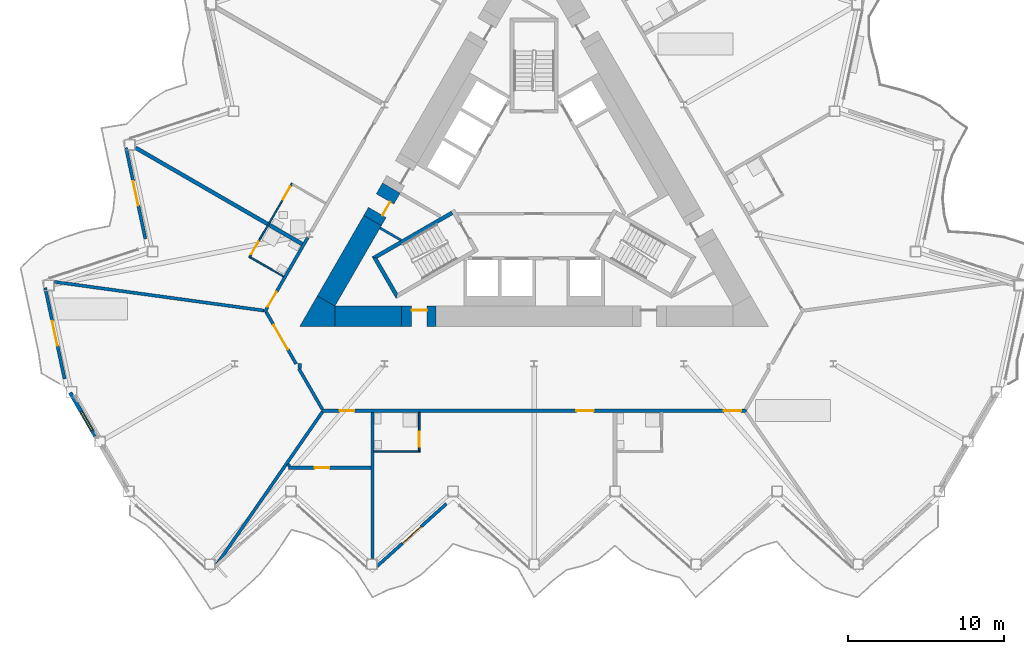
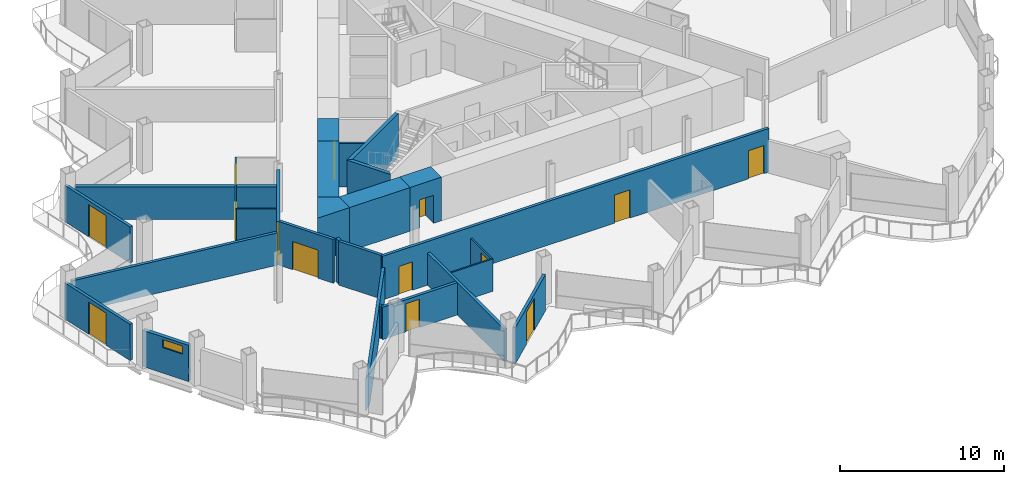
# One storey, part 11 of 23: 27 walls, 14 doors, 1 window, 15 openings.
"""IFC4 building model written with IfcOpenShell, lengths in metres."""

import ifcopenshell
import ifcopenshell.guid

model = None  # the IFC model being written
_history = None  # IfcOwnerHistory: only IFC2X3 demands one
_inside = {}  # id of a spatial element -> (the spatial element, [elements in it])
_under = {}  # id of a project, library or spatial element -> (it, [spatial elements below it])
_declared = {}  # id of a project -> (the project, [libraries it declares])
_typed = {}  # id of a type object -> (the type object, [elements of that type])
_made_of = {}  # id of a material, layer set ... -> (it, [elements and type objects made of it])


def new_model(schema):
    """Start an empty IFC model of exactly this schema.

    Asked for "IFC4X3", IfcOpenShell would pick the latest addendum, in which some entities
    have other attributes; the version numbers below select the first issue.
    IFC2X3 requires an IfcOwnerHistory on every rooted entity: one is made here for all.
    """
    global model, _history
    if schema == "IFC4X3":
        model = ifcopenshell.file(schema_version=(4, 3, 0, 0))
    else:
        model = ifcopenshell.file(schema=schema)
    _inside.clear()
    _under.clear()
    _declared.clear()
    _typed.clear()
    _made_of.clear()
    _history = None
    if model.schema == "IFC2X3":
        org = make("IfcOrganization", Name="unknown")
        user = make(
            "IfcPersonAndOrganization",
            ThePerson=make("IfcPerson", FamilyName="unknown"),
            TheOrganization=org,
        )
        app = make(
            "IfcApplication",
            ApplicationDeveloper=org,
            Version="unknown",
            ApplicationFullName="unknown",
            ApplicationIdentifier="unknown",
        )
        _history = make(
            "IfcOwnerHistory",
            OwningUser=user,
            OwningApplication=app,
            ChangeAction="ADDED",
            CreationDate=0,
        )
    return model


def make(cls, **values):
    """One entity of the class cls with the attributes given. An attribute that is None is left unset."""
    return model.create_entity(
        cls, **{name: value for name, value in values.items() if value is not None}
    )


def rooted(cls, **values):
    """An entity with a GlobalId (a new one), such as an element, a storey or a relation."""
    return make(cls, GlobalId=ifcopenshell.guid.new(), OwnerHistory=_history, **values)


def si_unit(unit_type, name, prefix=None):
    """IfcSIUnit, for example si_unit("LENGTHUNIT", "METRE", prefix="MILLI")."""
    return make("IfcSIUnit", UnitType=unit_type, Prefix=prefix, Name=name)


def assignment(units):
    """IfcUnitAssignment: the units of a project."""
    return None if units is None else make("IfcUnitAssignment", Units=units)


def point(xyz):
    """IfcCartesianPoint."""
    return None if xyz is None else make("IfcCartesianPoint", Coordinates=xyz)


def direction(xyz):
    """IfcDirection."""
    return None if xyz is None else make("IfcDirection", DirectionRatios=xyz)


def frame(location, z_axis=None, x_axis=None):
    """IfcAxis2Placement3D, a coordinate frame: its origin and axes. An axis left out is left unset."""
    return make(
        "IfcAxis2Placement3D",
        Location=point(location),
        Axis=direction(z_axis),
        RefDirection=direction(x_axis),
    )


def frame_2d(location, x_axis=None):
    """IfcAxis2Placement2D, a coordinate frame in the plane: its origin and x axis."""
    return make(
        "IfcAxis2Placement2D", Location=point(location), RefDirection=direction(x_axis)
    )


def origin():
    """The frame at (0, 0, 0) with its axes left unset."""
    return frame((0.0, 0.0, 0.0))


def place(relative_to, where):
    """IfcLocalPlacement: puts the frame where relative to a parent placement (None: the world)."""
    return make(
        "IfcLocalPlacement", PlacementRelTo=relative_to, RelativePlacement=where
    )


def context(
    kind, dimensions, precision=None, world=None, true_north=None, identifier=None
):
    """IfcGeometricRepresentationContext, for example the 3D "Model" context."""
    return make(
        "IfcGeometricRepresentationContext",
        ContextIdentifier=identifier,
        ContextType=kind,
        CoordinateSpaceDimension=dimensions,
        Precision=precision,
        WorldCoordinateSystem=world,
        TrueNorth=true_north,
    )


def subcontext(parent, identifier, kind, view, scale=None):
    """IfcGeometricRepresentationSubContext, for example "Body" below "Model"."""
    return make(
        "IfcGeometricRepresentationSubContext",
        ContextIdentifier=identifier,
        ContextType=kind,
        ParentContext=parent,
        TargetScale=scale,
        TargetView=view,
    )


def project(units=None, contexts=None):
    """IfcProject with its units and contexts."""
    return rooted(
        "IfcProject",
        Name="project",
        RepresentationContexts=contexts,
        UnitsInContext=assignment(units),
    )


def spatial(cls, under=None, at=None, **own):
    """A site, building, storey or space (cls), placed at a placement, below another one or the project."""
    s = rooted(cls, ObjectPlacement=at, **own)
    if under is not None:
        _under.setdefault(under.id(), (under, []))[1].append(s)
    return s


def polyline(points):
    """IfcPolyline through the points."""
    return make("IfcPolyline", Points=[point(p) for p in points])


def profile(cls, at=None, kind="AREA", **sizes):
    """A parametric profile (cls). Its sizes go by their IFC names, for example OverallWidth=200.0."""
    return make(cls, ProfileType=kind, Position=at, **sizes)


def rectangle(**sizes):
    """IfcRectangleProfileDef."""
    return profile("IfcRectangleProfileDef", **sizes)


def outline(outer, holes=None, kind="AREA"):
    """IfcArbitraryClosedProfileDef: a profile drawn as a closed curve; with holes, ...WithVoids."""
    if holes is None:
        return make("IfcArbitraryClosedProfileDef", ProfileType=kind, OuterCurve=outer)
    return make(
        "IfcArbitraryProfileDefWithVoids",
        ProfileType=kind,
        OuterCurve=outer,
        InnerCurves=holes,
    )


def extrude(swept, where, along, depth):
    """IfcExtrudedAreaSolid: the profile swept, set in the frame where, extruded along a direction by depth."""
    return make(
        "IfcExtrudedAreaSolid",
        SweptArea=swept,
        Position=where,
        ExtrudedDirection=direction(along),
        Depth=depth,
    )


def shape(context_of_items, identifier, shape_type, items):
    """IfcShapeRepresentation: the items that make up one representation, for example the "Body"."""
    return make(
        "IfcShapeRepresentation",
        ContextOfItems=context_of_items,
        RepresentationIdentifier=identifier,
        RepresentationType=shape_type,
        Items=items,
    )


def material(Name=None, Category=None):
    """IfcMaterial."""
    return make("IfcMaterial", Name=Name, Category=Category)


def layer(
    of_material, thickness, ventilated=None, Name=None, Category=None, Priority=None
):
    """IfcMaterialLayer: one layer of a wall or slab, of a material (None: an air gap)."""
    return make(
        "IfcMaterialLayer",
        Material=of_material,
        LayerThickness=thickness,
        IsVentilated=ventilated,
        Name=Name,
        Category=Category,
        Priority=Priority,
    )


def layer_set(layers, Name=None):
    """IfcMaterialLayerSet."""
    return make("IfcMaterialLayerSet", MaterialLayers=layers, LayerSetName=Name)


def made_of(thing, what):
    """Note that an element or type object is made of a material, layer set ...; save() writes the relation."""
    if what is not None:
        _made_of.setdefault(what.id(), (what, []))[1].append(thing)
    return thing


def type_object(cls, material=None, **own):
    """A type object (cls), such as IfcWallType, which elements share."""
    return made_of(rooted(cls, **own), material)


def element(
    cls,
    number,
    at=None,
    inside=None,
    cuts=None,
    type_object=None,
    material=None,
    context=None,
    identifier="Body",
    shape_type=None,
    held_by="IfcProductDefinitionShape",
    body=None,
    shapes=None,
    **own,
):
    """One element of the class cls, such as IfcWall. Its Tag is "e" and its number.

    at: its placement. inside: the storey or other place that contains it. cuts: it is an
    opening in that element (IfcRelVoidsElement). A single representation is given by context,
    identifier, shape_type and body (its items); several are given by shapes. held_by: the class
    of the entity that holds the representations. save() writes the other relations.
    """
    e = rooted(cls, Tag="e%d" % number, ObjectPlacement=at, **own)
    if body is not None:
        shapes = [shape(context, identifier, shape_type, body)]
    if shapes is not None:
        e.Representation = make(held_by, Representations=shapes)
    if inside is not None:
        _inside.setdefault(inside.id(), (inside, []))[1].append(e)
    if cuts is not None:
        rooted(
            "IfcRelVoidsElement", RelatingBuildingElement=cuts, RelatedOpeningElement=e
        )
    if type_object is not None:
        _typed.setdefault(type_object.id(), (type_object, []))[1].append(e)
    return made_of(e, material)


def fill(opening, filler):
    """IfcRelFillsElement: the door or window that sits in an opening."""
    return rooted(
        "IfcRelFillsElement",
        RelatingOpeningElement=opening,
        RelatedBuildingElement=filler,
    )


def aggregate(whole, parts):
    """IfcRelAggregates: a whole, such as a stair, and the parts it consists of."""
    return rooted("IfcRelAggregates", RelatingObject=whole, RelatedObjects=parts)


def save(model, path):
    """Write the relations noted so far, then the file.

    IfcRelAggregates (storeys below a building ...), IfcRelContainedInSpatialStructure (elements
    in a storey), IfcRelDefinesByType, IfcRelAssociatesMaterial and IfcRelDeclares: one each for
    every whole, place, type object, material and project.
    """
    for whole, parts in _under.values():
        aggregate(whole, parts)
    for where, things in _inside.values():
        rooted(
            "IfcRelContainedInSpatialStructure",
            RelatedElements=things,
            RelatingStructure=where,
        )
    for kind, things in _typed.values():
        rooted("IfcRelDefinesByType", RelatedObjects=things, RelatingType=kind)
    for what, things in _made_of.values():
        rooted("IfcRelAssociatesMaterial", RelatedObjects=things, RelatingMaterial=what)
    for by, libraries in _declared.values():
        rooted("IfcRelDeclares", RelatingContext=by, RelatedDefinitions=libraries)
    model.write(path)


model = new_model("IFC4")

# Units and contexts
model_context = context("Model", 3, precision=1e-05, world=origin(), true_north=direction((0.0, 1.0)))
body_context = subcontext(model_context, "Body", "Model", "MODEL_VIEW")
ifc_project = project(units=[si_unit("LENGTHUNIT", "METRE"), si_unit("AREAUNIT", "SQUARE_METRE"), si_unit("VOLUMEUNIT", "CUBIC_METRE"), si_unit("PLANEANGLEUNIT", "RADIAN"), si_unit("MASSUNIT", "GRAM", prefix="KILO")], contexts=[model_context])

# Site, building, storey
site_placement = place(None, origin())
site = spatial("IfcSite", under=ifc_project, at=site_placement, CompositionType="ELEMENT")
building_placement = place(site_placement, origin())
building = spatial("IfcBuilding", under=site, at=building_placement, Name="Cormorant Prow Tower", CompositionType="ELEMENT")
storey_placement = place(building_placement, frame((0.0, 0.0, 249.0)))
storey = spatial("IfcBuildingStorey", under=building, at=storey_placement, Name="L55", CompositionType="ELEMENT", Elevation=249.0)

# Walls
ifc_material_1 = material(Name="Gypsum board partition")
ifc_layer_1 = layer(ifc_material_1, 0.14990234375)
ifc_layer_set_1 = layer_set([ifc_layer_1], Name="Gypsum board partition")
wall_type_1 = type_object("IfcWallType", Name="Core partition 150", PredefinedType="PARTITIONING", material=ifc_layer_set_1)
wall_1_placement = place(storey_placement, frame((-9.862060546875, -2.361083984375, 0.0), z_axis=(0.0, 0.0, 1.0), x_axis=(0.865990094875, -0.500061151839, 0.0)))
element("IfcWall", 1, at=wall_1_placement, inside=storey, type_object=wall_type_1, Name="Service room partition", PredefinedType="PARTITIONING", context=body_context, shape_type="SweptSolid", body=[
    extrude(rectangle(XDim=1.559814453125, YDim=0.14990234375, at=frame_2d((0.77978515625, 0.0))), origin(), (0.0, 0.0, 1.0), 3.25),
])
ifc_material_2 = material(Name="Concrete 8000 psi", Category="concrete")
ifc_layer_2 = layer(ifc_material_2, 1.300048828125)
ifc_layer_set_2 = layer_set([ifc_layer_2], Name="Concrete 8000 psi")
wall_type_2 = type_object("IfcWallType", Name="Core shear wall 1300", PredefinedType="SHEAR", material=ifc_layer_set_2)
wall_2_placement = place(storey_placement, frame((-12.748291015625, -8.01025390625, 0.0), z_axis=(0.0, 0.0, 1.0), x_axis=(1.0, 0.0, 0.0)))
element("IfcWall", 2, at=wall_2_placement, inside=storey, type_object=wall_type_2, Name="Core wall", PredefinedType="SHEAR", context=body_context, shape_type="SweptSolid", body=[
    extrude(rectangle(XDim=4.260009765625, YDim=1.300048828125, at=frame_2d((2.1298828125, 0.0))), origin(), (0.0, 0.0, 1.0), 3.25),
])
wall_3_placement = place(storey_placement, frame((-10.337890625, -1.885009765625, 0.0), z_axis=(0.0, 0.0, 1.0), x_axis=(-0.499975944838, -0.866039291593, 0.0)))
element("IfcWall", 3, at=wall_3_placement, inside=storey, type_object=wall_type_2, Name="Core wall", PredefinedType="SHEAR", context=body_context, shape_type="SweptSolid", body=[
    extrude(rectangle(XDim=5.947021484375, YDim=1.300048828125, at=frame_2d((2.9736328125, 0.0))), origin(), (0.0, 0.0, 1.0), 3.25),
])
wall_4_placement = place(storey_placement, origin())
element("IfcWall", 4, at=wall_4_placement, inside=storey, type_object=wall_type_2, Name="Core wall corner", PredefinedType="SHEAR", context=body_context, shape_type="SweptSolid", body=[
    extrude(outline(polyline([(-13.874267578125, -6.710205078125), (-12.748291015625, -7.3603515625), (-12.748291015625, -8.660400390625), (-15.0, -8.660400390625), (-13.874267578125, -6.710205078125)])), origin(), (0.0, 0.0, 1.0), 3.25),
])

# Wall, opening, door
wall_5_placement = place(storey_placement, frame((-8.48828125, -8.01025390625, 0.0), z_axis=(0.0, 0.0, 1.0), x_axis=(1.0, 0.0, 0.0)))
wall_5 = element("IfcWall", 5, at=wall_5_placement, inside=storey, type_object=wall_type_2, Name="Core wall door panel", PredefinedType="SHEAR", context=body_context, shape_type="SweptSolid", body=[
    extrude(rectangle(XDim=2.2001953125, YDim=1.300048828125, at=frame_2d((1.10009765625, 0.0))), origin(), (0.0, 0.0, 1.0), 3.25),
])
opening_1_placement = place(wall_5_placement, frame((0.64990234375, 0.0, 0.0)))
opening_1 = element("IfcOpeningElement", 6, at=opening_1_placement, cuts=wall_5, Name="Opening L55-C14", PredefinedType="OPENING", context=body_context, shape_type="SweptSolid", body=[
    extrude(rectangle(XDim=1.0, YDim=2.10009765625, at=frame_2d((0.5, 1.050048828125))), frame((0.0, 0.659912109375, 0.0), z_axis=(0.0, -1.0, 0.0), x_axis=(1.0, 0.0, 0.0)), (0.0, 0.0, 1.0), 1.320068359375),
])
ifc_material_3 = material(Name="Painted steel", Category="steel")
door_type_1 = type_object("IfcDoorType", Name="Service door 1000x2100", OperationType="NOTDEFINED", PredefinedType="DOOR", material=ifc_material_3)
door_1_placement = place(opening_1_placement, origin())
door_1 = element("IfcDoor", 7, at=door_1_placement, inside=storey, type_object=door_type_1, Name="Core door, Pantry store", OperationType="SINGLE_SWING_LEFT", OverallHeight=2.10009765625, OverallWidth=1.0, PredefinedType="DOOR", context=body_context, shape_type="SweptSolid", body=[
    extrude(rectangle(XDim=1.0, YDim=2.10009765625, at=frame_2d((0.5, 1.050048828125))), frame((0.0, 0.40478515625, 0.0), z_axis=(0.0, -1.0, 0.0), x_axis=(1.0, 0.0, 0.0)), (0.0, 0.0, 1.0), 0.050048828125),
])
fill(opening_1, door_1)

wall_6_placement = place(storey_placement, frame((-9.13720703125, 0.194580078125, 0.0), z_axis=(0.0, 0.0, 1.0), x_axis=(-0.500009943768, -0.866019662671, 0.0)))
wall_6 = element("IfcWall", 8, at=wall_6_placement, inside=storey, type_object=wall_type_2, Name="Core wall door panel", PredefinedType="SHEAR", context=body_context, shape_type="SweptSolid", body=[
    extrude(rectangle(XDim=2.4013671875, YDim=1.300048828125, at=frame_2d((1.20068359375, 0.0))), origin(), (0.0, 0.0, 1.0), 3.25),
])
opening_2_placement = place(wall_6_placement, frame((0.800048828125, 0.0, 0.0)))
opening_2 = element("IfcOpeningElement", 9, at=opening_2_placement, cuts=wall_6, Name="Opening L55-C16", PredefinedType="OPENING", context=body_context, shape_type="SweptSolid", body=[
    extrude(rectangle(XDim=1.0, YDim=2.10009765625, at=frame_2d((0.5, 1.050048828125))), frame((0.0, 0.659912109375, 0.0), z_axis=(0.0, -1.0, 0.0), x_axis=(1.0, 0.0, 0.0)), (0.0, 0.0, 1.0), 1.320068359375),
])
door_2_placement = place(opening_2_placement, origin())
door_2 = element("IfcDoor", 10, at=door_2_placement, inside=storey, type_object=door_type_1, Name="Core door, Mechanical riser room", OperationType="SINGLE_SWING_RIGHT", OverallHeight=2.10009765625, OverallWidth=1.0, PredefinedType="DOOR", context=body_context, shape_type="SweptSolid", body=[
    extrude(rectangle(XDim=1.0, YDim=2.10009765625, at=frame_2d((0.5, 1.050048828125))), frame((0.0, 0.40478515625, 0.0), z_axis=(0.0, -1.0, 0.0), x_axis=(1.0, 0.0, 0.0)), (0.0, 0.0, 1.0), 0.050048828125),
])
fill(opening_2, door_2)

# Wall, openings, doors
ifc_material_4 = material(Name="Gypsum board corridor wall")
ifc_layer_3 = layer(ifc_material_4, 0.199951171875)
ifc_layer_set_3 = layer_set([ifc_layer_3], Name="Gypsum board corridor wall")
wall_type_3 = type_object("IfcWallType", Name="Corridor wall 200", PredefinedType="PARTITIONING", material=ifc_layer_set_3)
wall_7_placement = place(storey_placement, frame((-13.598876953125, -14.060302734375, 0.0), z_axis=(0.0, 0.0, 1.0), x_axis=(1.0, 0.0, 0.0)))
wall_7 = element("IfcWall", 11, at=wall_7_placement, inside=storey, type_object=wall_type_3, Name="Corridor wall", PredefinedType="PARTITIONING", context=body_context, shape_type="SweptSolid", body=[
    extrude(rectangle(XDim=27.19775390625, YDim=0.199951171875, at=frame_2d((13.598876953125, 0.0))), origin(), (0.0, 0.0, 1.0), 3.25),
])
opening_3_placement = place(wall_7_placement, frame((1.151611328125, 0.0, 0.0)))
opening_3 = element("IfcOpeningElement", 12, at=opening_3_placement, cuts=wall_7, Name="Opening L55-F01", PredefinedType="OPENING", context=body_context, shape_type="SweptSolid", body=[
    extrude(rectangle(XDim=0.949951171875, YDim=2.10009765625, at=frame_2d((0.47509765625, 1.050048828125))), frame((0.0, 0.10986328125, 0.0), z_axis=(0.0, -1.0, 0.0), x_axis=(1.0, 0.0, 0.0)), (0.0, 0.0, 1.0), 0.219970703125),
])
opening_4_placement = place(wall_7_placement, frame((16.311279296875, 0.0, 0.0)))
opening_4 = element("IfcOpeningElement", 13, at=opening_4_placement, cuts=wall_7, Name="Opening L55-F03", PredefinedType="OPENING", context=body_context, shape_type="SweptSolid", body=[
    extrude(rectangle(XDim=1.10009765625, YDim=2.10009765625, at=frame_2d((0.550048828125, 1.050048828125))), frame((0.0, 0.10986328125, 0.0), z_axis=(0.0, -1.0, 0.0), x_axis=(1.0, 0.0, 0.0)), (0.0, 0.0, 1.0), 0.219970703125),
])
opening_5_placement = place(wall_7_placement, frame((25.747314453125, 0.0, 0.0)))
opening_5 = element("IfcOpeningElement", 14, at=opening_5_placement, cuts=wall_7, Name="Opening L55-F05", PredefinedType="OPENING", context=body_context, shape_type="SweptSolid", body=[
    extrude(rectangle(XDim=1.10009765625, YDim=2.10009765625, at=frame_2d((0.550048828125, 1.050048828125))), frame((0.0, 0.10986328125, 0.0), z_axis=(0.0, -1.0, 0.0), x_axis=(1.0, 0.0, 0.0)), (0.0, 0.0, 1.0), 0.219970703125),
])
ifc_material_5 = material(Name="Timber door leaf", Category="wood")
door_type_2 = type_object("IfcDoorType", Name="Store door 950x2100", OperationType="NOTDEFINED", PredefinedType="DOOR", material=ifc_material_5)
door_3_placement = place(opening_3_placement, origin())
door_3 = element("IfcDoor", 15, at=door_3_placement, inside=storey, type_object=door_type_2, Name="Housekeeping room door", OperationType="SINGLE_SWING_LEFT", OverallHeight=2.10009765625, OverallWidth=0.949951171875, PredefinedType="DOOR", context=body_context, shape_type="SweptSolid", body=[
    extrude(rectangle(XDim=0.949951171875, YDim=2.10009765625, at=frame_2d((0.47509765625, 1.050048828125))), frame((0.0, 0.02490234375, 0.0), z_axis=(0.0, -1.0, 0.0), x_axis=(1.0, 0.0, 0.0)), (0.0, 0.0, 1.0), 0.050048828125),
])
fill(opening_3, door_3)
ifc_material_6 = material(Name="Timber door leaf", Category="wood")
door_type_3 = type_object("IfcDoorType", Name="Suite entrance door 1100x2100", OperationType="NOTDEFINED", PredefinedType="DOOR", material=ifc_material_6)
door_4_placement = place(opening_4_placement, origin())
door_4 = element("IfcDoor", 16, at=door_4_placement, inside=storey, type_object=door_type_3, Name="Executive suite bedroom door", OperationType="SINGLE_SWING_LEFT", OverallHeight=2.10009765625, OverallWidth=1.10009765625, PredefinedType="DOOR", context=body_context, shape_type="SweptSolid", body=[
    extrude(rectangle(XDim=1.10009765625, YDim=2.10009765625, at=frame_2d((0.550048828125, 1.050048828125))), frame((0.0, 0.02490234375, 0.0), z_axis=(0.0, -1.0, 0.0), x_axis=(1.0, 0.0, 0.0)), (0.0, 0.0, 1.0), 0.050048828125),
])
fill(opening_4, door_4)
door_5_placement = place(opening_5_placement, origin())
door_5 = element("IfcDoor", 17, at=door_5_placement, inside=storey, type_object=door_type_3, Name="Executive suite bedroom door", OperationType="SINGLE_SWING_RIGHT", OverallHeight=2.10009765625, OverallWidth=1.10009765625, PredefinedType="DOOR", context=body_context, shape_type="SweptSolid", body=[
    extrude(rectangle(XDim=1.10009765625, YDim=2.10009765625, at=frame_2d((0.550048828125, 1.050048828125))), frame((0.0, 0.02490234375, 0.0), z_axis=(0.0, -1.0, 0.0), x_axis=(1.0, 0.0, 0.0)), (0.0, 0.0, 1.0), 0.050048828125),
])
fill(opening_5, door_5)

# Wall, opening, door
wall_8_placement = place(storey_placement, frame((-17.243896484375, -7.746826171875, 0.0), z_axis=(0.0, 0.0, 1.0), x_axis=(0.500017753321, 0.866015153657, 0.0)))
wall_8 = element("IfcWall", 18, at=wall_8_placement, inside=storey, type_object=wall_type_3, Name="Corridor wall", PredefinedType="PARTITIONING", context=body_context, shape_type="SweptSolid", body=[
    extrude(rectangle(XDim=5.510498046875, YDim=0.199951171875, at=frame_2d((2.75537109375, 0.0))), origin(), (0.0, 0.0, 1.0), 3.25),
])
opening_6_placement = place(wall_8_placement, frame((0.400634765625, 0.0, 0.0)))
opening_6 = element("IfcOpeningElement", 19, at=opening_6_placement, cuts=wall_8, Name="Opening L55-F20", PredefinedType="OPENING", context=body_context, shape_type="SweptSolid", body=[
    extrude(rectangle(XDim=1.10009765625, YDim=2.10009765625, at=frame_2d((0.550048828125, 1.050048828125))), frame((0.0, 0.10986328125, 0.0), z_axis=(0.0, -1.0, 0.0), x_axis=(1.0, 0.0, 0.0)), (0.0, 0.0, 1.0), 0.219970703125),
])
door_6_placement = place(opening_6_placement, origin())
door_6 = element("IfcDoor", 20, at=door_6_placement, inside=storey, type_object=door_type_3, Name="Junior suite door", OperationType="SINGLE_SWING_LEFT", OverallHeight=2.10009765625, OverallWidth=1.10009765625, PredefinedType="DOOR", context=body_context, shape_type="SweptSolid", body=[
    extrude(rectangle(XDim=1.10009765625, YDim=2.10009765625, at=frame_2d((0.550048828125, 1.050048828125))), frame((0.0, 0.02490234375, 0.0), z_axis=(0.0, -1.0, 0.0), x_axis=(1.0, 0.0, 0.0)), (0.0, 0.0, 1.0), 0.050048828125),
])
fill(opening_6, door_6)

wall_9_placement = place(storey_placement, frame((-17.143798828125, -7.746826171875, 0.0), z_axis=(0.0, 0.0, 1.0), x_axis=(0.499961815444, -0.866047448526, 0.0)))
wall_9 = element("IfcWall", 21, at=wall_9_placement, inside=storey, type_object=wall_type_3, Name="Corridor wall", PredefinedType="PARTITIONING", context=body_context, shape_type="SweptSolid", body=[
    extrude(rectangle(XDim=3.825927734375, YDim=0.199951171875, at=frame_2d((1.9130859375, 0.0))), origin(), (0.0, 0.0, 1.0), 3.25),
])
opening_7_placement = place(wall_9_placement, frame((0.962158203125, 0.0, 0.0)))
opening_7 = element("IfcOpeningElement", 22, at=opening_7_placement, cuts=wall_9, Name="Opening L55-F22", PredefinedType="OPENING", context=body_context, shape_type="SweptSolid", body=[
    extrude(rectangle(XDim=1.800048828125, YDim=2.10009765625, at=frame_2d((0.89990234375, 1.050048828125))), frame((0.0, 0.10986328125, 0.0), z_axis=(0.0, -1.0, 0.0), x_axis=(1.0, 0.0, 0.0)), (0.0, 0.0, 1.0), 0.219970703125),
])
ifc_material_7 = material(Name="Timber door leaf", Category="wood")
door_type_4 = type_object("IfcDoorType", Name="Double door 1800x2100", OperationType="DOUBLE_DOOR_SINGLE_SWING", PredefinedType="DOOR", material=ifc_material_7)
door_7_placement = place(opening_7_placement, origin())
door_7 = element("IfcDoor", 23, at=door_7_placement, inside=storey, type_object=door_type_4, Name="Co-working space door", OperationType="DOUBLE_DOOR_SINGLE_SWING", OverallHeight=2.10009765625, OverallWidth=1.800048828125, PredefinedType="DOOR", context=body_context, shape_type="SweptSolid", body=[
    extrude(rectangle(XDim=1.800048828125, YDim=2.10009765625, at=frame_2d((0.89990234375, 1.050048828125))), frame((0.0, 0.02490234375, 0.0), z_axis=(0.0, -1.0, 0.0), x_axis=(1.0, 0.0, 0.0)), (0.0, 0.0, 1.0), 0.050048828125),
])
fill(opening_7, door_7)

# Walls
wall_10_placement = place(storey_placement, frame((-15.050048828125, -11.373779296875, 0.0), z_axis=(0.0, 0.0, 1.0), x_axis=(0.500048608389, -0.865997337899, 0.0)))
element("IfcWall", 24, at=wall_10_placement, inside=storey, type_object=wall_type_3, Name="Corridor wall", PredefinedType="PARTITIONING", context=body_context, shape_type="SweptSolid", body=[
    extrude(rectangle(XDim=3.002197265625, YDim=0.199951171875, at=frame_2d((1.5009765625, 0.0))), origin(), (0.0, 0.0, 1.0), 3.25),
])
wall_11_placement = place(storey_placement, frame((-15.0, -11.3603515625, 0.0), z_axis=(0.0, 0.0, 1.0), x_axis=(0.0, 1.0, 0.0)))
element("IfcWall", 25, at=wall_11_placement, inside=storey, type_object=wall_type_3, Name="Corridor wall", PredefinedType="PARTITIONING", context=body_context, shape_type="SweptSolid", body=[
    extrude(rectangle(XDim=0.31005859375, YDim=0.199951171875, at=frame_2d((0.155029296875, 0.0))), origin(), (0.0, 0.0, 1.0), 3.25),
])
ifc_material_8 = material(Name="Gypsum board demising wall")
ifc_layer_4 = layer(ifc_material_8, 0.199951171875)
ifc_layer_set_4 = layer_set([ifc_layer_4], Name="Gypsum board demising wall")
wall_type_4 = type_object("IfcWallType", Name="Demising wall 200", PredefinedType="PARTITIONING", material=ifc_layer_set_4)
wall_12_placement = place(storey_placement, frame((-30.703125, -5.809814453125, 0.0), z_axis=(0.0, 0.0, 1.0), x_axis=(0.99075075074, -0.135694325259, 0.0)))
element("IfcWall", 26, at=wall_12_placement, inside=storey, type_object=wall_type_4, Name="Demising wall", PredefinedType="PARTITIONING", context=body_context, shape_type="SweptSolid", body=[
    extrude(rectangle(XDim=13.535400390625, YDim=0.199951171875, at=frame_2d((6.767578125, 0.0))), origin(), (0.0, 0.0, 1.0), 2.404296875),
])
wall_13_placement = place(storey_placement, origin())
element("IfcWall", 27, at=wall_13_placement, inside=storey, type_object=wall_type_4, Name="Demising wall", PredefinedType="PARTITIONING", context=body_context, shape_type="SweptSolid", body=[
    extrude(outline(polyline([(-13.473388671875, -14.199462890625), (-19.793701171875, -23.330810546875), (-20.439453125, -23.912109375), (-13.637939453125, -14.085693359375), (-13.473388671875, -14.199462890625)])), origin(), (0.0, 0.0, 1.0), 2.404296875),
])
wall_14_placement = place(storey_placement, frame((-10.351318359375, -23.52685546875, 0.0), z_axis=(0.0, 0.0, 1.0), x_axis=(0.0, 1.0, 0.0)))
element("IfcWall", 28, at=wall_14_placement, inside=storey, type_object=wall_type_4, Name="Demising wall", PredefinedType="PARTITIONING", context=body_context, shape_type="SweptSolid", body=[
    extrude(rectangle(XDim=9.366455078125, YDim=0.199951171875, at=frame_2d((4.68310546875, 0.0))), origin(), (0.0, 0.0, 1.0), 2.404296875),
])

# Wall, opening, door
wall_15_placement = place(storey_placement, frame((-15.706298828125, -17.710205078125, 0.0), z_axis=(0.0, 0.0, 1.0), x_axis=(1.0, 0.0, 0.0)))
wall_15 = element("IfcWall", 29, at=wall_15_placement, inside=storey, type_object=wall_type_4, Name="Demising wall", PredefinedType="PARTITIONING", context=body_context, shape_type="SweptSolid", body=[
    extrude(rectangle(XDim=5.2548828125, YDim=0.199951171875, at=frame_2d((2.62744140625, 0.0))), origin(), (0.0, 0.0, 1.0), 2.404296875),
])
opening_8_placement = place(wall_15_placement, frame((1.65185546875, 0.0, 0.0)))
opening_8 = element("IfcOpeningElement", 30, at=opening_8_placement, cuts=wall_15, Name="Opening L55-F02", PredefinedType="OPENING", context=body_context, shape_type="SweptSolid", body=[
    extrude(rectangle(XDim=0.949951171875, YDim=2.10009765625, at=frame_2d((0.47509765625, 1.050048828125))), frame((0.0, 0.10986328125, 0.0), z_axis=(0.0, -1.0, 0.0), x_axis=(1.0, 0.0, 0.0)), (0.0, 0.0, 1.0), 0.219970703125),
])
door_8_placement = place(opening_8_placement, origin())
door_8 = element("IfcDoor", 31, at=door_8_placement, inside=storey, type_object=door_type_2, Name="Linen store door", OperationType="SINGLE_SWING_LEFT", OverallHeight=2.10009765625, OverallWidth=0.949951171875, PredefinedType="DOOR", context=body_context, shape_type="SweptSolid", body=[
    extrude(rectangle(XDim=0.949951171875, YDim=2.10009765625, at=frame_2d((0.47509765625, 1.050048828125))), frame((0.0, 0.02490234375, 0.0), z_axis=(0.0, -1.0, 0.0), x_axis=(1.0, 0.0, 0.0)), (0.0, 0.0, 1.0), 0.050048828125),
])
fill(opening_8, door_8)

# Wall
wall_16_placement = place(storey_placement, frame((-15.74658203125, -17.466796875, 0.0), z_axis=(0.0, 0.0, 1.0), x_axis=(0.498749683645, -0.866746071848, 0.0)))
element("IfcWall", 32, at=wall_16_placement, inside=storey, type_object=wall_type_4, Name="Demising wall", PredefinedType="PARTITIONING", context=body_context, shape_type="SweptSolid", body=[
    extrude(rectangle(XDim=0.18115234375, YDim=0.199951171875, at=frame_2d((0.090576171875, 0.0))), origin(), (0.0, 0.0, 1.0), 2.404296875),
])

# Wall, openings, doors
ifc_material_9 = material(Name="Gypsum board partition")
ifc_layer_5 = layer(ifc_material_9, 0.10009765625)
ifc_layer_set_5 = layer_set([ifc_layer_5], Name="Gypsum board partition")
wall_type_5 = type_object("IfcWallType", Name="Internal partition 100", PredefinedType="PARTITIONING", material=ifc_layer_set_5)
wall_17_placement = place(storey_placement, frame((-18.230712890625, -4.256103515625, 0.0), z_axis=(0.0, 0.0, 1.0), x_axis=(0.500015767406, 0.866016300277, 0.0)))
wall_17 = element("IfcWall", 33, at=wall_17_placement, inside=storey, type_object=wall_type_5, Name="Internal partition", PredefinedType="PARTITIONING", context=body_context, shape_type="SweptSolid", body=[
    extrude(rectangle(XDim=5.499755859375, YDim=0.10009765625, at=frame_2d((2.75, 0.0))), origin(), (0.0, 0.0, 1.0), 2.404296875),
])
opening_9_placement = place(wall_17_placement, frame((4.300048828125, 0.0, 0.0)))
opening_9 = element("IfcOpeningElement", 34, at=opening_9_placement, cuts=wall_17, Name="Opening L55-F19", PredefinedType="OPENING", context=body_context, shape_type="SweptSolid", body=[
    extrude(rectangle(XDim=0.949951171875, YDim=2.10009765625, at=frame_2d((0.47509765625, 1.050048828125))), frame((0.0, 0.06005859375, 0.0), z_axis=(0.0, -1.0, 0.0), x_axis=(1.0, 0.0, 0.0)), (0.0, 0.0, 1.0), 0.1201171875),
])
opening_10_placement = place(wall_17_placement, frame((0.25, 0.0, 0.0)))
opening_10 = element("IfcOpeningElement", 35, at=opening_10_placement, cuts=wall_17, Name="Opening L55-F21", PredefinedType="OPENING", context=body_context, shape_type="SweptSolid", body=[
    extrude(rectangle(XDim=0.949951171875, YDim=2.10009765625, at=frame_2d((0.47509765625, 1.050048828125))), frame((0.0, 0.06005859375, 0.0), z_axis=(0.0, -1.0, 0.0), x_axis=(1.0, 0.0, 0.0)), (0.0, 0.0, 1.0), 0.1201171875),
])
ifc_material_10 = material(Name="Timber door leaf", Category="wood")
door_type_5 = type_object("IfcDoorType", Name="Bathroom door 950x2100", OperationType="NOTDEFINED", PredefinedType="DOOR", material=ifc_material_10)
door_9_placement = place(opening_9_placement, origin())
door_9 = element("IfcDoor", 36, at=door_9_placement, inside=storey, type_object=door_type_5, Name="Junior suite door", OperationType="SINGLE_SWING_RIGHT", OverallHeight=2.10009765625, OverallWidth=0.949951171875, PredefinedType="DOOR", context=body_context, shape_type="SweptSolid", body=[
    extrude(rectangle(XDim=0.949951171875, YDim=2.10009765625, at=frame_2d((0.47509765625, 1.050048828125))), frame((0.0, 0.02490234375, 0.0), z_axis=(0.0, -1.0, 0.0), x_axis=(1.0, 0.0, 0.0)), (0.0, 0.0, 1.0), 0.050048828125),
])
fill(opening_9, door_9)
door_10_placement = place(opening_10_placement, origin())
door_10 = element("IfcDoor", 37, at=door_10_placement, inside=storey, type_object=door_type_5, Name="Junior suite door", OperationType="SINGLE_SWING_LEFT", OverallHeight=2.10009765625, OverallWidth=0.949951171875, PredefinedType="DOOR", context=body_context, shape_type="SweptSolid", body=[
    extrude(rectangle(XDim=0.949951171875, YDim=2.10009765625, at=frame_2d((0.47509765625, 1.050048828125))), frame((0.0, 0.02490234375, 0.0), z_axis=(0.0, -1.0, 0.0), x_axis=(1.0, 0.0, 0.0)), (0.0, 0.0, 1.0), 0.050048828125),
])
fill(opening_10, door_10)

# Walls
wall_18_placement = place(storey_placement, frame((-10.25146484375, -16.660400390625, 0.0), z_axis=(0.0, 0.0, 1.0), x_axis=(1.0, 0.0, 0.0)))
element("IfcWall", 38, at=wall_18_placement, inside=storey, type_object=wall_type_5, Name="Internal partition", PredefinedType="PARTITIONING", context=body_context, shape_type="SweptSolid", body=[
    extrude(rectangle(XDim=2.949951171875, YDim=0.10009765625, at=frame_2d((1.47509765625, 0.0))), origin(), (0.0, 0.0, 1.0), 2.404296875),
])
wall_19_placement = place(storey_placement, frame((-18.16259765625, -4.23779296875, 0.0), z_axis=(0.0, 0.0, 1.0), x_axis=(0.866014668023, -0.500018594424, 0.0)))
element("IfcWall", 39, at=wall_19_placement, inside=storey, type_object=wall_type_5, Name="Internal partition", PredefinedType="PARTITIONING", context=body_context, shape_type="SweptSolid", body=[
    extrude(rectangle(XDim=2.4501953125, YDim=0.10009765625, at=frame_2d((1.22509765625, 0.0))), origin(), (0.0, 0.0, 1.0), 2.404296875),
])

# Wall, opening, door
wall_20_placement = place(storey_placement, frame((-7.351318359375, -16.6103515625, 0.0), z_axis=(0.0, 0.0, 1.0), x_axis=(0.0, 1.0, 0.0)))
wall_20 = element("IfcWall", 40, at=wall_20_placement, inside=storey, type_object=wall_type_5, Name="Internal partition", PredefinedType="PARTITIONING", context=body_context, shape_type="SweptSolid", body=[
    extrude(rectangle(XDim=2.449951171875, YDim=0.10009765625, at=frame_2d((1.22509765625, 0.0))), origin(), (0.0, 0.0, 1.0), 2.404296875),
])
opening_11_placement = place(wall_20_placement, frame((0.25, 0.0, 0.0)))
opening_11 = element("IfcOpeningElement", 41, at=opening_11_placement, cuts=wall_20, Name="Opening L55-F04", PredefinedType="OPENING", context=body_context, shape_type="SweptSolid", body=[
    extrude(rectangle(XDim=0.949951171875, YDim=2.10009765625, at=frame_2d((0.47509765625, 1.050048828125))), frame((0.0, 0.06005859375, 0.0), z_axis=(0.0, -1.0, 0.0), x_axis=(1.0, 0.0, 0.0)), (0.0, 0.0, 1.0), 0.1201171875),
])
door_11_placement = place(opening_11_placement, origin())
door_11 = element("IfcDoor", 42, at=door_11_placement, inside=storey, type_object=door_type_5, Name="Executive suite bedroom door", OperationType="SINGLE_SWING_LEFT", OverallHeight=2.10009765625, OverallWidth=0.949951171875, PredefinedType="DOOR", context=body_context, shape_type="SweptSolid", body=[
    extrude(rectangle(XDim=0.949951171875, YDim=2.10009765625, at=frame_2d((0.47509765625, 1.050048828125))), frame((0.0, 0.02490234375, 0.0), z_axis=(0.0, -1.0, 0.0), x_axis=(1.0, 0.0, 0.0)), (0.0, 0.0, 1.0), 0.050048828125),
])
fill(opening_11, door_11)

# Walls
ifc_material_11 = material(Name="Concrete 8000 psi", Category="concrete")
ifc_layer_6 = layer(ifc_material_11, 0.25)
ifc_layer_set_6 = layer_set([ifc_layer_6], Name="Concrete 8000 psi")
wall_type_6 = type_object("IfcWallType", Name="Stair wall 250", PredefinedType="SHEAR", material=ifc_layer_set_6)
wall_21_placement = place(storey_placement, origin())
element("IfcWall", 43, at=wall_21_placement, inside=storey, type_object=wall_type_6, Name="Stair ST1 enclosure wall (flank)", PredefinedType="SHEAR", context=body_context, shape_type="SweptSolid", body=[
    extrude(outline(polyline([(-5.30712890625, -1.28125), (-10.37353515625, -4.206298828125), (-10.031982421875, -4.2978515625), (-5.18212890625, -1.497802734375), (-5.30712890625, -1.28125)])), origin(), (0.0, 0.0, 1.0), 3.25),
])
wall_22_placement = place(storey_placement, origin())
element("IfcWall", 44, at=wall_22_placement, inside=storey, type_object=wall_type_6, Name="Stair ST1 enclosure wall (end)", PredefinedType="SHEAR", context=body_context, shape_type="SweptSolid", body=[
    extrude(outline(polyline([(-10.37353515625, -4.206298828125), (-8.82958984375, -6.880615234375), (-8.738037109375, -6.5390625), (-10.031982421875, -4.2978515625), (-10.37353515625, -4.206298828125)])), origin(), (0.0, 0.0, 1.0), 3.25),
])
ifc_material_12 = material(Name="Acoustic gypsum party wall")
ifc_layer_7 = layer(ifc_material_12, 0.25)
ifc_layer_set_7 = layer_set([ifc_layer_7], Name="Acoustic gypsum party wall")
wall_type_7 = type_object("IfcWallType", Name="Suite party wall 250", PredefinedType="PARTITIONING", material=ifc_layer_set_7)
wall_23_placement = place(storey_placement, frame((-25.514892578125, 2.7783203125, 0.0), z_axis=(0.0, 0.0, 1.0), x_axis=(0.866019666699, -0.500009936792, 0.0)))
element("IfcWall", 45, at=wall_23_placement, inside=storey, type_object=wall_type_7, Name="Suite party wall", PredefinedType="PARTITIONING", context=body_context, shape_type="SweptSolid", body=[
    extrude(rectangle(XDim=12.325439453125, YDim=0.25, at=frame_2d((6.16259765625, 0.0))), origin(), (0.0, 0.0, 1.0), 2.404296875),
])

# Wall, opening, window
ifc_material_13 = material(Name="Terracotta", Category="masonry")
ifc_layer_8 = layer(ifc_material_13, 0.25)
ifc_layer_set_8 = layer_set([ifc_layer_8], Name="Terracotta")
wall_type_8 = type_object("IfcWallType", Name="Terracotta bay wall 250", PredefinedType="SOLIDWALL", material=ifc_layer_set_8)
wall_24_placement = place(storey_placement, frame((-29.691650390625, -12.90380859375, 0.0), z_axis=(0.0, 0.0, 1.0), x_axis=(0.499987708133, -0.866032500381, 0.0)))
wall_24 = element("IfcWall", 46, at=wall_24_placement, inside=storey, type_object=wall_type_8, Name="Terracotta bay wall WSW00", PredefinedType="SOLIDWALL", context=body_context, shape_type="SweptSolid", body=[
    extrude(rectangle(XDim=3.21337890625, YDim=0.25, at=frame_2d((1.606689453125, 0.0))), origin(), (0.0, 0.0, 1.0), 2.700927734375),
])
opening_12_placement = place(wall_24_placement, frame((1.39990234375, 0.0, 1.89990234375)))
opening_12 = element("IfcOpeningElement", 47, at=opening_12_placement, cuts=wall_24, Name="Opening WN6", PredefinedType="OPENING", context=body_context, shape_type="SweptSolid", body=[
    extrude(rectangle(XDim=1.39990234375, YDim=0.60009765625, at=frame_2d((0.699951171875, 0.300048828125))), frame((0.0, 0.135009765625, 0.0), z_axis=(0.0, -1.0, 0.0), x_axis=(1.0, 0.0, 0.0)), (0.0, 0.0, 1.0), 0.27001953125),
])
ifc_material_14 = material(Name="Aluminium 6063-T6", Category="aluminium")
window_type = type_object("IfcWindowType", Name="Corner bay window 1400x600", PartitioningType="SINGLE_PANEL", PredefinedType="WINDOW", material=ifc_material_14)
window_placement = place(opening_12_placement, origin())
window = element("IfcWindow", 48, at=window_placement, inside=storey, type_object=window_type, Name="Corner bay window WSW00", OverallHeight=0.60009765625, OverallWidth=1.39990234375, PartitioningType="SINGLE_PANEL", PredefinedType="WINDOW", context=body_context, shape_type="SweptSolid", body=[
    extrude(rectangle(XDim=1.39990234375, YDim=0.60009765625, at=frame_2d((0.699951171875, 0.300048828125))), frame((0.0, 0.030029296875, 0.0), z_axis=(0.0, -1.0, 0.0), x_axis=(1.0, 0.0, 0.0)), (0.0, 0.0, 1.0), 0.06005859375),
])
fill(opening_12, window)

# Wall, opening, door
ifc_material_15 = material(Name="Terracotta", Category="masonry")
ifc_layer_9 = layer(ifc_material_15, 0.199951171875)
ifc_layer_set_9 = layer_set([ifc_layer_9], Name="Terracotta")
wall_type_9 = type_object("IfcWallType", Name="Terracotta jamb wall 200", PredefinedType="SOLIDWALL", material=ifc_layer_set_9)
wall_25_placement = place(storey_placement, frame((-10.0458984375, -24.0087890625, 0.0), z_axis=(0.0, 0.0, 1.0), x_axis=(0.743133280699, 0.669143427912, 0.0)))
wall_25 = element("IfcWall", 49, at=wall_25_placement, inside=storey, type_object=wall_type_9, Name="Terracotta jamb wall S03", PredefinedType="SOLIDWALL", context=body_context, shape_type="SweptSolid", body=[
    extrude(rectangle(XDim=5.96240234375, YDim=0.199951171875, at=frame_2d((2.981201171875, 0.0))), origin(), (0.0, 0.0, 1.0), 2.700927734375),
])
opening_13_placement = place(wall_25_placement, frame((2.181396484375, 0.0, 0.0)))
opening_13 = element("IfcOpeningElement", 50, at=opening_13_placement, cuts=wall_25, Name="Opening ED55.02", PredefinedType="OPENING", context=body_context, shape_type="SweptSolid", body=[
    extrude(rectangle(XDim=1.60009765625, YDim=2.39990234375, at=frame_2d((0.800048828125, 1.199951171875))), frame((0.0, 0.10986328125, 0.0), z_axis=(0.0, -1.0, 0.0), x_axis=(1.0, 0.0, 0.0)), (0.0, 0.0, 1.0), 0.219970703125),
])
ifc_material_16 = material(Name="Aluminium 6063-T6", Category="aluminium")
door_type_6 = type_object("IfcDoorType", Name="Balcony door 1600x2400", OperationType="DOUBLE_DOOR_SINGLE_SWING", PredefinedType="DOOR", material=ifc_material_16)
door_12_placement = place(opening_13_placement, origin())
door_12 = element("IfcDoor", 51, at=door_12_placement, inside=storey, type_object=door_type_6, Name="Balcony door S03 ED55.02", OperationType="DOUBLE_DOOR_SINGLE_SWING", OverallHeight=2.39990234375, OverallWidth=1.60009765625, PredefinedType="DOOR", context=body_context, shape_type="SweptSolid", body=[
    extrude(rectangle(XDim=1.60009765625, YDim=2.39990234375, at=frame_2d((0.800048828125, 1.199951171875))), frame((0.0, 0.02490234375, 0.0), z_axis=(0.0, -1.0, 0.0), x_axis=(1.0, 0.0, 0.0)), (0.0, 0.0, 1.0), 0.050048828125),
])
fill(opening_13, door_12)

wall_26_placement = place(storey_placement, frame((-26.12060546875, 2.775390625, 0.0), z_axis=(0.0, 0.0, 1.0), x_axis=(0.207881772083, -0.978153959679, 0.0)))
wall_26 = element("IfcWall", 52, at=wall_26_placement, inside=storey, type_object=wall_type_9, Name="Terracotta jamb wall WNW07", PredefinedType="SOLIDWALL", context=body_context, shape_type="SweptSolid", body=[
    extrude(rectangle(XDim=5.962646484375, YDim=0.199951171875, at=frame_2d((2.9814453125, 0.0))), origin(), (0.0, 0.0, 1.0), 2.700927734375),
])
opening_14_placement = place(wall_26_placement, frame((2.181396484375, 0.0, 0.0)))
opening_14 = element("IfcOpeningElement", 53, at=opening_14_placement, cuts=wall_26, Name="Opening ED55.14", PredefinedType="OPENING", context=body_context, shape_type="SweptSolid", body=[
    extrude(rectangle(XDim=1.60009765625, YDim=2.39990234375, at=frame_2d((0.800048828125, 1.199951171875))), frame((0.0, 0.10986328125, 0.0), z_axis=(0.0, -1.0, 0.0), x_axis=(1.0, 0.0, 0.0)), (0.0, 0.0, 1.0), 0.219970703125),
])
door_13_placement = place(opening_14_placement, origin())
door_13 = element("IfcDoor", 54, at=door_13_placement, inside=storey, type_object=door_type_6, Name="Balcony door WNW07 ED55.14", OperationType="DOUBLE_DOOR_SINGLE_SWING", OverallHeight=2.39990234375, OverallWidth=1.60009765625, PredefinedType="DOOR", context=body_context, shape_type="SweptSolid", body=[
    extrude(rectangle(XDim=1.60009765625, YDim=2.39990234375, at=frame_2d((0.800048828125, 1.199951171875))), frame((0.0, 0.02490234375, 0.0), z_axis=(0.0, -1.0, 0.0), x_axis=(1.0, 0.0, 0.0)), (0.0, 0.0, 1.0), 0.050048828125),
])
fill(opening_14, door_13)

wall_27_placement = place(storey_placement, frame((-31.29638671875, -6.189208984375, 0.0), z_axis=(0.0, 0.0, 1.0), x_axis=(0.207920947907, -0.978145633033, 0.0)))
wall_27 = element("IfcWall", 55, at=wall_27_placement, inside=storey, type_object=wall_type_9, Name="Terracotta jamb wall WNW09", PredefinedType="SOLIDWALL", context=body_context, shape_type="SweptSolid", body=[
    extrude(rectangle(XDim=5.962646484375, YDim=0.199951171875, at=frame_2d((2.9814453125, 0.0))), origin(), (0.0, 0.0, 1.0), 2.700927734375),
])
opening_15_placement = place(wall_27_placement, frame((2.181396484375, 0.0, 0.0)))
opening_15 = element("IfcOpeningElement", 56, at=opening_15_placement, cuts=wall_27, Name="Opening ED55.15", PredefinedType="OPENING", context=body_context, shape_type="SweptSolid", body=[
    extrude(rectangle(XDim=1.60009765625, YDim=2.39990234375, at=frame_2d((0.800048828125, 1.199951171875))), frame((0.0, 0.10986328125, 0.0), z_axis=(0.0, -1.0, 0.0), x_axis=(1.0, 0.0, 0.0)), (0.0, 0.0, 1.0), 0.219970703125),
])
door_14_placement = place(opening_15_placement, origin())
door_14 = element("IfcDoor", 57, at=door_14_placement, inside=storey, type_object=door_type_6, Name="Balcony door WNW09 ED55.15", OperationType="DOUBLE_DOOR_SINGLE_SWING", OverallHeight=2.39990234375, OverallWidth=1.60009765625, PredefinedType="DOOR", context=body_context, shape_type="SweptSolid", body=[
    extrude(rectangle(XDim=1.60009765625, YDim=2.39990234375, at=frame_2d((0.800048828125, 1.199951171875))), frame((0.0, 0.02490234375, 0.0), z_axis=(0.0, -1.0, 0.0), x_axis=(1.0, 0.0, 0.0)), (0.0, 0.0, 1.0), 0.050048828125),
])
fill(opening_15, door_14)

save(model, "model.ifc")
